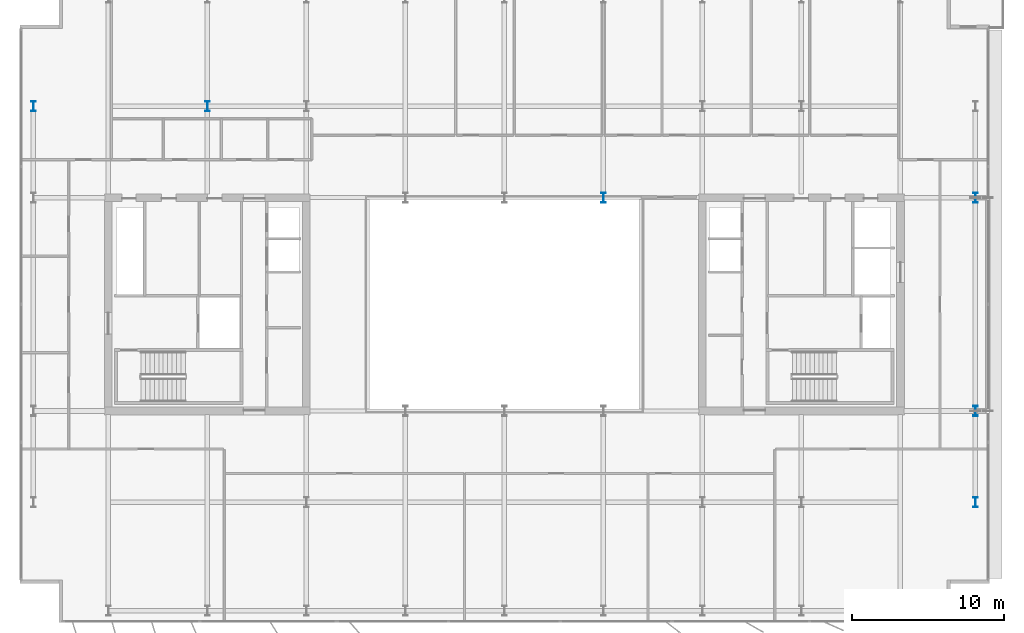
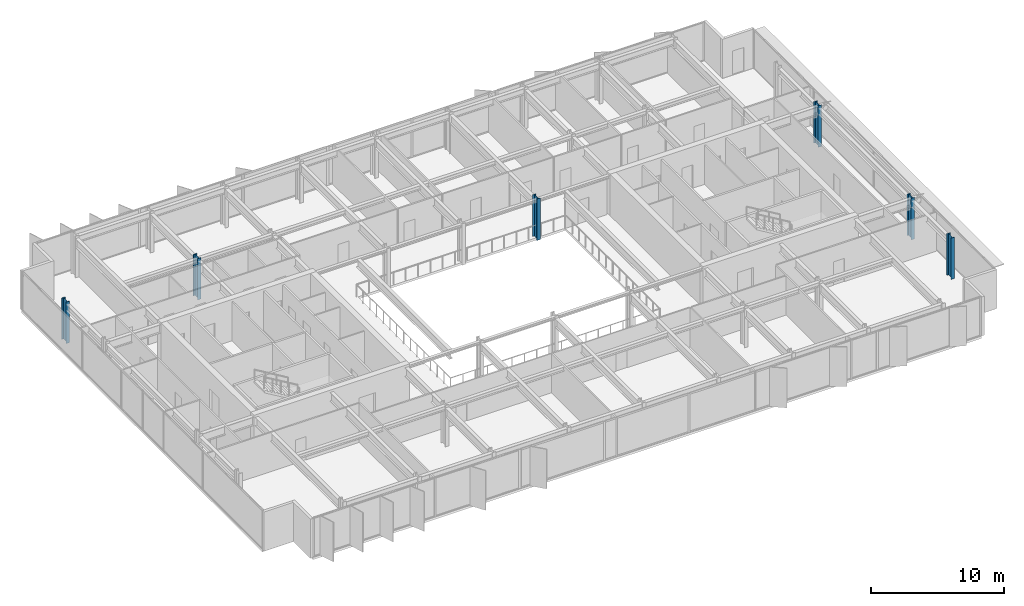
# One storey, part 2 of 19: 6 columns.
"""IFC4 building model written with IfcOpenShell, lengths in metres."""

import ifcopenshell
import ifcopenshell.guid

model = None  # the IFC model being written
_history = None  # IfcOwnerHistory: only IFC2X3 demands one
_inside = {}  # id of a spatial element -> (the spatial element, [elements in it])
_under = {}  # id of a project, library or spatial element -> (it, [spatial elements below it])
_declared = {}  # id of a project -> (the project, [libraries it declares])
_typed = {}  # id of a type object -> (the type object, [elements of that type])
_made_of = {}  # id of a material, layer set ... -> (it, [elements and type objects made of it])


def new_model(schema):
    """Start an empty IFC model of exactly this schema.

    Asked for "IFC4X3", IfcOpenShell would pick the latest addendum, in which some entities
    have other attributes; the version numbers below select the first issue.
    IFC2X3 requires an IfcOwnerHistory on every rooted entity: one is made here for all.
    """
    global model, _history
    if schema == "IFC4X3":
        model = ifcopenshell.file(schema_version=(4, 3, 0, 0))
    else:
        model = ifcopenshell.file(schema=schema)
    _inside.clear()
    _under.clear()
    _declared.clear()
    _typed.clear()
    _made_of.clear()
    _history = None
    if model.schema == "IFC2X3":
        org = make("IfcOrganization", Name="unknown")
        user = make(
            "IfcPersonAndOrganization",
            ThePerson=make("IfcPerson", FamilyName="unknown"),
            TheOrganization=org,
        )
        app = make(
            "IfcApplication",
            ApplicationDeveloper=org,
            Version="unknown",
            ApplicationFullName="unknown",
            ApplicationIdentifier="unknown",
        )
        _history = make(
            "IfcOwnerHistory",
            OwningUser=user,
            OwningApplication=app,
            ChangeAction="ADDED",
            CreationDate=0,
        )
    return model


def make(cls, **values):
    """One entity of the class cls with the attributes given. An attribute that is None is left unset."""
    return model.create_entity(
        cls, **{name: value for name, value in values.items() if value is not None}
    )


def rooted(cls, **values):
    """An entity with a GlobalId (a new one), such as an element, a storey or a relation."""
    return make(cls, GlobalId=ifcopenshell.guid.new(), OwnerHistory=_history, **values)


def si_unit(unit_type, name, prefix=None):
    """IfcSIUnit, for example si_unit("LENGTHUNIT", "METRE", prefix="MILLI")."""
    return make("IfcSIUnit", UnitType=unit_type, Prefix=prefix, Name=name)


def assignment(units):
    """IfcUnitAssignment: the units of a project."""
    return None if units is None else make("IfcUnitAssignment", Units=units)


def point(xyz):
    """IfcCartesianPoint."""
    return None if xyz is None else make("IfcCartesianPoint", Coordinates=xyz)


def direction(xyz):
    """IfcDirection."""
    return None if xyz is None else make("IfcDirection", DirectionRatios=xyz)


def frame(location, z_axis=None, x_axis=None):
    """IfcAxis2Placement3D, a coordinate frame: its origin and axes. An axis left out is left unset."""
    return make(
        "IfcAxis2Placement3D",
        Location=point(location),
        Axis=direction(z_axis),
        RefDirection=direction(x_axis),
    )


def frame_2d(location, x_axis=None):
    """IfcAxis2Placement2D, a coordinate frame in the plane: its origin and x axis."""
    return make(
        "IfcAxis2Placement2D", Location=point(location), RefDirection=direction(x_axis)
    )


def origin():
    """The frame at (0, 0, 0) with its axes left unset."""
    return frame((0.0, 0.0, 0.0))


def origin_2d():
    """The frame at (0, 0) in the plane with its x axis left unset."""
    return frame_2d((0.0, 0.0))


def place(relative_to, where):
    """IfcLocalPlacement: puts the frame where relative to a parent placement (None: the world)."""
    return make(
        "IfcLocalPlacement", PlacementRelTo=relative_to, RelativePlacement=where
    )


def context(
    kind, dimensions, precision=None, world=None, true_north=None, identifier=None
):
    """IfcGeometricRepresentationContext, for example the 3D "Model" context."""
    return make(
        "IfcGeometricRepresentationContext",
        ContextIdentifier=identifier,
        ContextType=kind,
        CoordinateSpaceDimension=dimensions,
        Precision=precision,
        WorldCoordinateSystem=world,
        TrueNorth=true_north,
    )


def subcontext(parent, identifier, kind, view, scale=None):
    """IfcGeometricRepresentationSubContext, for example "Body" below "Model"."""
    return make(
        "IfcGeometricRepresentationSubContext",
        ContextIdentifier=identifier,
        ContextType=kind,
        ParentContext=parent,
        TargetScale=scale,
        TargetView=view,
    )


def project(units=None, contexts=None):
    """IfcProject with its units and contexts."""
    return rooted(
        "IfcProject",
        Name="project",
        RepresentationContexts=contexts,
        UnitsInContext=assignment(units),
    )


def spatial(cls, under=None, at=None, **own):
    """A site, building, storey or space (cls), placed at a placement, below another one or the project."""
    s = rooted(cls, ObjectPlacement=at, **own)
    if under is not None:
        _under.setdefault(under.id(), (under, []))[1].append(s)
    return s


def profile(cls, at=None, kind="AREA", **sizes):
    """A parametric profile (cls). Its sizes go by their IFC names, for example OverallWidth=200.0."""
    return make(cls, ProfileType=kind, Position=at, **sizes)


def i_section(**sizes):
    """IfcIShapeProfileDef."""
    return profile("IfcIShapeProfileDef", **sizes)


def extrude(swept, where, along, depth):
    """IfcExtrudedAreaSolid: the profile swept, set in the frame where, extruded along a direction by depth."""
    return make(
        "IfcExtrudedAreaSolid",
        SweptArea=swept,
        Position=where,
        ExtrudedDirection=direction(along),
        Depth=depth,
    )


def shape(context_of_items, identifier, shape_type, items):
    """IfcShapeRepresentation: the items that make up one representation, for example the "Body"."""
    return make(
        "IfcShapeRepresentation",
        ContextOfItems=context_of_items,
        RepresentationIdentifier=identifier,
        RepresentationType=shape_type,
        Items=items,
    )


def material(Name=None, Category=None):
    """IfcMaterial."""
    return make("IfcMaterial", Name=Name, Category=Category)


def material_profile(
    of_material, cross_section, Name=None, Category=None, Priority=None
):
    """IfcMaterialProfile: a cross section and its material."""
    return make(
        "IfcMaterialProfile",
        Name=Name,
        Material=of_material,
        Profile=cross_section,
        Priority=Priority,
        Category=Category,
    )


def profile_set(profiles, Name=None, composite=None):
    """IfcMaterialProfileSet."""
    return make(
        "IfcMaterialProfileSet",
        Name=Name,
        MaterialProfiles=profiles,
        CompositeProfile=composite,
    )


def made_of(thing, what):
    """Note that an element or type object is made of a material, layer set ...; save() writes the relation."""
    if what is not None:
        _made_of.setdefault(what.id(), (what, []))[1].append(thing)
    return thing


def type_object(cls, material=None, **own):
    """A type object (cls), such as IfcWallType, which elements share."""
    return made_of(rooted(cls, **own), material)


def element(
    cls,
    number,
    at=None,
    inside=None,
    cuts=None,
    type_object=None,
    material=None,
    context=None,
    identifier="Body",
    shape_type=None,
    held_by="IfcProductDefinitionShape",
    body=None,
    shapes=None,
    **own,
):
    """One element of the class cls, such as IfcWall. Its Tag is "e" and its number.

    at: its placement. inside: the storey or other place that contains it. cuts: it is an
    opening in that element (IfcRelVoidsElement). A single representation is given by context,
    identifier, shape_type and body (its items); several are given by shapes. held_by: the class
    of the entity that holds the representations. save() writes the other relations.
    """
    e = rooted(cls, Tag="e%d" % number, ObjectPlacement=at, **own)
    if body is not None:
        shapes = [shape(context, identifier, shape_type, body)]
    if shapes is not None:
        e.Representation = make(held_by, Representations=shapes)
    if inside is not None:
        _inside.setdefault(inside.id(), (inside, []))[1].append(e)
    if cuts is not None:
        rooted(
            "IfcRelVoidsElement", RelatingBuildingElement=cuts, RelatedOpeningElement=e
        )
    if type_object is not None:
        _typed.setdefault(type_object.id(), (type_object, []))[1].append(e)
    return made_of(e, material)


def aggregate(whole, parts):
    """IfcRelAggregates: a whole, such as a stair, and the parts it consists of."""
    return rooted("IfcRelAggregates", RelatingObject=whole, RelatedObjects=parts)


def save(model, path):
    """Write the relations noted so far, then the file.

    IfcRelAggregates (storeys below a building ...), IfcRelContainedInSpatialStructure (elements
    in a storey), IfcRelDefinesByType, IfcRelAssociatesMaterial and IfcRelDeclares: one each for
    every whole, place, type object, material and project.
    """
    for whole, parts in _under.values():
        aggregate(whole, parts)
    for where, things in _inside.values():
        rooted(
            "IfcRelContainedInSpatialStructure",
            RelatedElements=things,
            RelatingStructure=where,
        )
    for kind, things in _typed.values():
        rooted("IfcRelDefinesByType", RelatedObjects=things, RelatingType=kind)
    for what, things in _made_of.values():
        rooted("IfcRelAssociatesMaterial", RelatedObjects=things, RelatingMaterial=what)
    for by, libraries in _declared.values():
        rooted("IfcRelDeclares", RelatingContext=by, RelatedDefinitions=libraries)
    model.write(path)


model = new_model("IFC4")

# Units and contexts
model_context = context("Model", 3, precision=1e-05, world=origin(), true_north=direction((0.0, 1.0)))
body_context = subcontext(model_context, "Body", "Model", "MODEL_VIEW")
ifc_project = project(units=[si_unit("LENGTHUNIT", "METRE"), si_unit("AREAUNIT", "SQUARE_METRE"), si_unit("VOLUMEUNIT", "CUBIC_METRE"), si_unit("PLANEANGLEUNIT", "RADIAN"), si_unit("MASSUNIT", "GRAM", prefix="KILO")], contexts=[model_context])

# Site, building, storey
site_placement = place(None, origin())
site = spatial("IfcSite", under=ifc_project, at=site_placement, CompositionType="ELEMENT")
building_placement = place(site_placement, origin())
building = spatial("IfcBuilding", under=site, at=building_placement, Name="Putna Gate Headquarters", CompositionType="ELEMENT")
storey_placement = place(building_placement, frame((0.0, 0.0, 259.39990234375)))
storey = spatial("IfcBuildingStorey", under=building, at=storey_placement, Name="L65", CompositionType="ELEMENT", Elevation=259.39990234375)

# Columns
ifc_material = material(Name="Steel S460M", Category="steel")
ifc_material_profile_1 = material_profile(ifc_material, i_section(OverallWidth=0.304931640625, OverallDepth=0.66796875, WebThickness=0.02099609375, FlangeThickness=0.0400390625, at=origin_2d()), Name="Steel S460M")
ifc_profile_set_1 = profile_set([ifc_material_profile_1], Name="Steel S460M")
column_type_1 = type_object("IfcColumnType", Name="COL-STL-HEM650-EXT", PredefinedType="COLUMN", material=ifc_profile_set_1)
for number, where, z_axis, x_axis, name in (
    (1, (69.919921875, 13.0, 0.0), (0.0, 0.0, 1.0), (1.0, 0.0, 0.0), "L65 Column CP-E13"),
    (2, (69.919921875, 19.0, 0.0), (0.0, 0.0, 1.0), (1.0, 0.0, 0.0), "L65 Column CP-E19"),
    (3, (69.919921875, 33.0, 0.0), (0.0, 0.0, 1.0), (1.0, 0.0, 0.0), "L65 Column CP-E33"),
    (4, (8.080078125, 39.0, 0.0), (0.0, 0.0, 1.0), (1.0, 0.0, 0.0), "L65 Column CP-W39"),
):
    element("IfcColumn", number, at=place(storey_placement, frame(where, z_axis=z_axis, x_axis=x_axis)), inside=storey, type_object=column_type_1, Name=name, PredefinedType="COLUMN", context=body_context, shape_type="SweptSolid", body=[
        extrude(i_section(OverallWidth=0.304931640625, OverallDepth=0.66796875, WebThickness=0.02099609375, FlangeThickness=0.0400390625, at=origin_2d()), origin(), (0.0, 0.0, 1.0), 3.800048828125),
    ])
ifc_material_profile_2 = material_profile(ifc_material, i_section(OverallWidth=0.304931640625, OverallDepth=0.66796875, WebThickness=0.02099609375, FlangeThickness=0.0400390625, at=origin_2d()), Name="Steel S460M")
ifc_profile_set_2 = profile_set([ifc_material_profile_2], Name="Steel S460M")
column_type_2 = type_object("IfcColumnType", Name="COL-STL-HEM650-INT", PredefinedType="COLUMN", material=ifc_profile_set_2)
for number, where, z_axis, x_axis, name in (
    (5, (19.5, 39.0, 0.0), (0.0, 0.0, 1.0), (1.0, 0.0, 0.0), "L65 Column CSI-WN"),
    (6, (45.5, 33.0, 0.0), (0.0, 0.0, 1.0), (1.0, 0.0, 0.0), "L65 Column CAI-N45"),
):
    element("IfcColumn", number, at=place(storey_placement, frame(where, z_axis=z_axis, x_axis=x_axis)), inside=storey, type_object=column_type_2, Name=name, PredefinedType="COLUMN", context=body_context, shape_type="SweptSolid", body=[
        extrude(i_section(OverallWidth=0.304931640625, OverallDepth=0.66796875, WebThickness=0.02099609375, FlangeThickness=0.0400390625, at=origin_2d()), origin(), (0.0, 0.0, 1.0), 3.800048828125),
    ])

save(model, "model.ifc")
